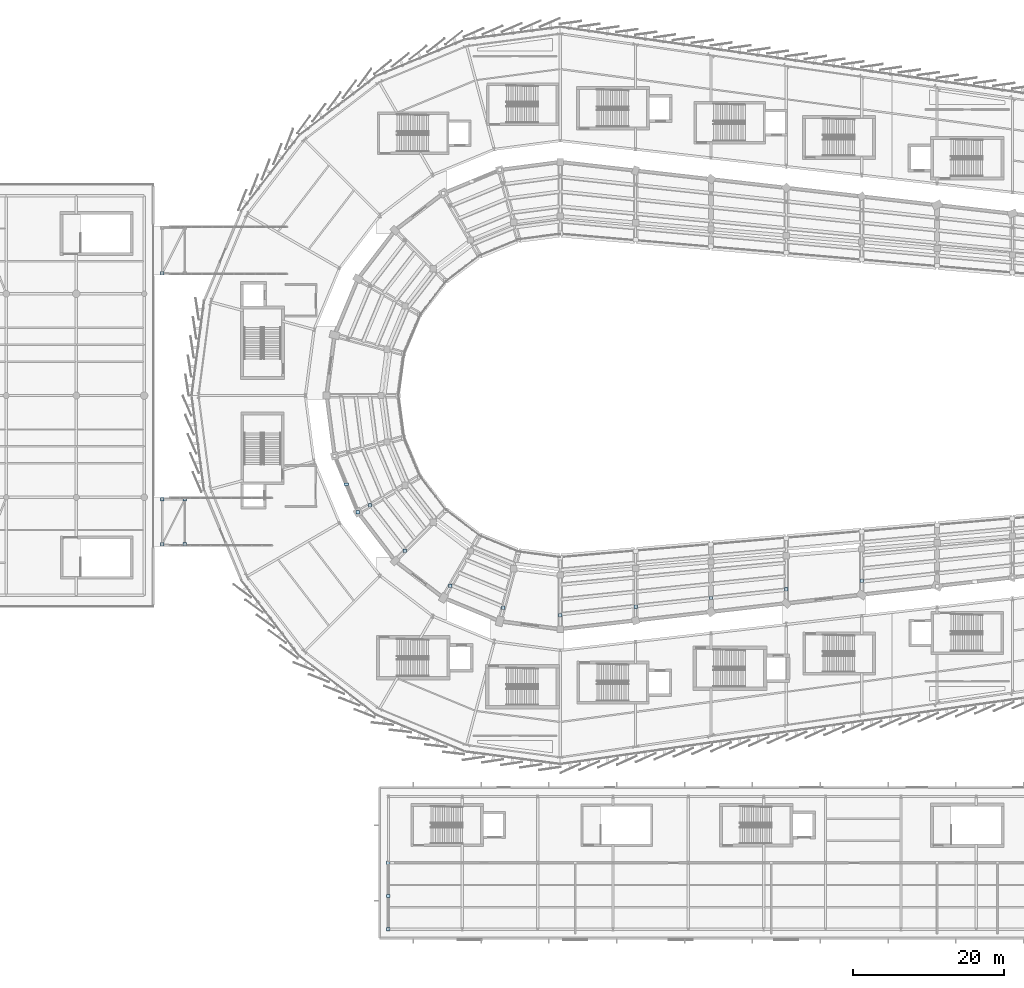
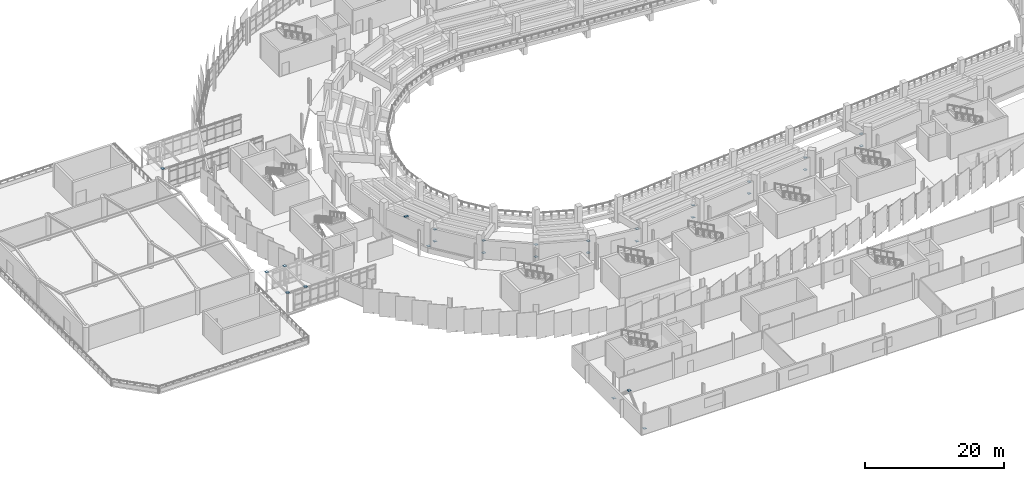
# One storey, part 94 of 120: 28 plates.
"""IFC4 building model written with IfcOpenShell, lengths in metres."""

from ifc_helpers import new_model, si_unit, direction, frame, origin, origin_2d, place, context, subcontext, project, spatial, rectangle, extrude, material, layer, layer_set, type_object, element, save


model = new_model("IFC4")

# Units and contexts
model_context = context("Model", 3, precision=1e-05, world=origin(), true_north=direction((0.0, 1.0)))
body_context = subcontext(model_context, "Body", "Model", "MODEL_VIEW")
ifc_project = project(units=[si_unit("LENGTHUNIT", "METRE"), si_unit("AREAUNIT", "SQUARE_METRE"), si_unit("VOLUMEUNIT", "CUBIC_METRE"), si_unit("PLANEANGLEUNIT", "RADIAN"), si_unit("MASSUNIT", "GRAM", prefix="KILO")], contexts=[model_context])

# Site, building, storey
site_placement = place(None, origin())
site = spatial("IfcSite", under=ifc_project, at=site_placement, CompositionType="ELEMENT")
building_placement = place(site_placement, origin())
building = spatial("IfcBuilding", under=site, at=building_placement, Name="Sohan Crest Arena", CompositionType="ELEMENT")
storey_placement = place(building_placement, frame((0.0, 0.0, 13.5)))
storey = spatial("IfcBuildingStorey", under=building, at=storey_placement, Name="L03", CompositionType="ELEMENT", Elevation=13.5)

# Plates
ifc_material = material(Name="Steel S355", Category="steel")
ifc_layer_1 = layer(ifc_material, 0.031982421875, Name="Steel S355")
ifc_layer_set_1 = layer_set([ifc_layer_1], Name="Steel S355")
plate_type_1 = type_object("IfcPlateType", Name="STR-PL-BP01", PredefinedType="USERDEFINED", material=ifc_layer_set_1)
for number, where, z_axis, x_axis, name in (
    (1, (45.199951171875, 58.25, 3.462646484375), (0.0, 0.0, 1.0), (1.0, 0.0, 0.0), "Hollow section end cap plate ECP-0021"),
    (2, (48.199951171875, 58.25, 3.462646484375), (0.0, 0.0, 1.0), (1.0, 0.0, 0.0), "Hollow section end cap plate ECP-0026"),
    (3, (45.199951171875, 64.25, 3.462646484375), (0.0, 0.0, 1.0), (1.0, 0.0, 0.0), "Hollow section end cap plate ECP-0031"),
    (4, (48.199951171875, 64.25, 3.462646484375), (0.0, 0.0, 1.0), (1.0, 0.0, 0.0), "Hollow section end cap plate ECP-0036"),
    (5, (45.199951171875, 94.25, 3.462646484375), (0.0, 0.0, 1.0), (1.0, 0.0, 0.0), "Hollow section end cap plate ECP-0041"),
    (6, (72.7548828125, 63.425048828125, -0.2724609375), (0.0, 0.0, 1.0), (1.0, 0.0, 0.0), "Hollow section end cap plate ECP-0129"),
    (7, (72.7548828125, 63.425048828125, 1.8125), (0.0, 0.0, 1.0), (1.0, 0.0, 0.0), "Hollow section end cap plate ECP-0130"),
    (8, (77.387939453125, 57.387939453125, -0.2724609375), (0.0, 0.0, 1.0), (1.0, 0.0, 0.0), "Hollow section end cap plate ECP-0131"),
    (9, (77.387939453125, 57.387939453125, 1.887451171875), (0.0, 0.0, 1.0), (1.0, 0.0, 0.0), "Hollow section end cap plate ECP-0132"),
    (10, (83.425048828125, 52.7548828125, -0.2724609375), (0.0, 0.0, 1.0), (1.0, 0.0, 0.0), "Hollow section end cap plate ECP-0133"),
    (11, (83.425048828125, 52.7548828125, 1.862548828125), (0.0, 0.0, 1.0), (1.0, 0.0, 0.0), "Hollow section end cap plate ECP-0134"),
    (12, (90.4560546875, 49.843017578125, -0.2724609375), (0.0, 0.0, 1.0), (1.0, 0.0, 0.0), "Hollow section end cap plate ECP-0135"),
    (13, (90.4560546875, 49.843017578125, 1.8125), (0.0, 0.0, 1.0), (1.0, 0.0, 0.0), "Hollow section end cap plate ECP-0136"),
    (14, (98.0, 48.85009765625, -0.2724609375), (0.0, 0.0, 1.0), (1.0, 0.0, 0.0), "Hollow section end cap plate ECP-0137"),
    (15, (98.0, 48.85009765625, 1.887451171875), (0.0, 0.0, 1.0), (1.0, 0.0, 0.0), "Hollow section end cap plate ECP-0138"),
    (16, (108.0, 49.992919921875, -0.2724609375), (0.0, 0.0, 1.0), (1.0, 0.0, 0.0), "Hollow section end cap plate ECP-0139"),
    (17, (108.0, 49.992919921875, 1.862548828125), (0.0, 0.0, 1.0), (1.0, 0.0, 0.0), "Hollow section end cap plate ECP-0140"),
    (18, (118.0, 51.135986328125, -0.2724609375), (0.0, 0.0, 1.0), (1.0, 0.0, 0.0), "Hollow section end cap plate ECP-0141"),
    (19, (118.0, 51.135986328125, 1.8125), (0.0, 0.0, 1.0), (1.0, 0.0, 0.0), "Hollow section end cap plate ECP-0142"),
    (20, (128.0, 52.279052734375, -0.2724609375), (0.0, 0.0, 1.0), (1.0, 0.0, 0.0), "Hollow section end cap plate ECP-0143"),
    (21, (128.0, 52.279052734375, 1.887451171875), (0.0, 0.0, 1.0), (1.0, 0.0, 0.0), "Hollow section end cap plate ECP-0144"),
    (22, (138.0, 53.4208984375, -0.2724609375), (0.0, 0.0, 1.0), (1.0, 0.0, 0.0), "Hollow section end cap plate ECP-0145"),
    (23, (138.0, 53.4208984375, 1.862548828125), (0.0, 0.0, 1.0), (1.0, 0.0, 0.0), "Hollow section end cap plate ECP-0146"),
    (24, (71.153076171875, 62.5, -0.012451171875), (0.0, 0.0, 1.0), (1.0, 0.0, 0.0), "Hollow section end cap plate ECP-0514"),
    (25, (75.199951171875, 7.199951171875, -0.012451171875), (0.0, 0.0, 1.0), (1.0, 0.0, 0.0), "Hollow section end cap plate ECP-0552"),
    (26, (75.199951171875, 11.60009765625, 3.987548828125), (0.0, 0.0, 1.0), (1.0, 0.0, 0.0), "Hollow section end cap plate ECP-0553"),
    (27, (75.199951171875, 16.0, -0.012451171875), (0.0, 0.0, 1.0), (1.0, 0.0, 0.0), "Hollow section end cap plate ECP-0554"),
):
    element("IfcPlate", number, at=place(storey_placement, frame(where, z_axis=z_axis, x_axis=x_axis)), inside=storey, type_object=plate_type_1, Name=name, ObjectType="BASE PLATE", PredefinedType="USERDEFINED", context=body_context, shape_type="SweptSolid", body=[
        extrude(rectangle(XDim=0.449951171875, YDim=0.449951171875, at=origin_2d()), origin(), (0.0, 0.0, 1.0), 0.02490234375),
    ])
ifc_layer_2 = layer(ifc_material, 0.02197265625, Name="Steel S355")
ifc_layer_set_2 = layer_set([ifc_layer_2], Name="Steel S355")
plate_type_2 = type_object("IfcPlateType", Name="STR-PL-SP02", PredefinedType="SHEET", material=ifc_layer_set_2)
plate_placement = place(storey_placement, frame((69.60498046875, 66.239013671875, 3.489013671875), z_axis=(0.0, 0.0, 1.0), x_axis=(1.0, 0.0, 0.0)))
element("IfcPlate", 28, at=plate_placement, inside=storey, type_object=plate_type_2, Name="Brace connection sheet plate SP-BR016", PredefinedType="SHEET", context=body_context, shape_type="SweptSolid", body=[
    extrude(rectangle(XDim=0.60009765625, YDim=0.3798828125, at=origin_2d()), origin(), (0.0, 0.0, 1.0), 0.02197265625),
])

save(model, "model.ifc")
